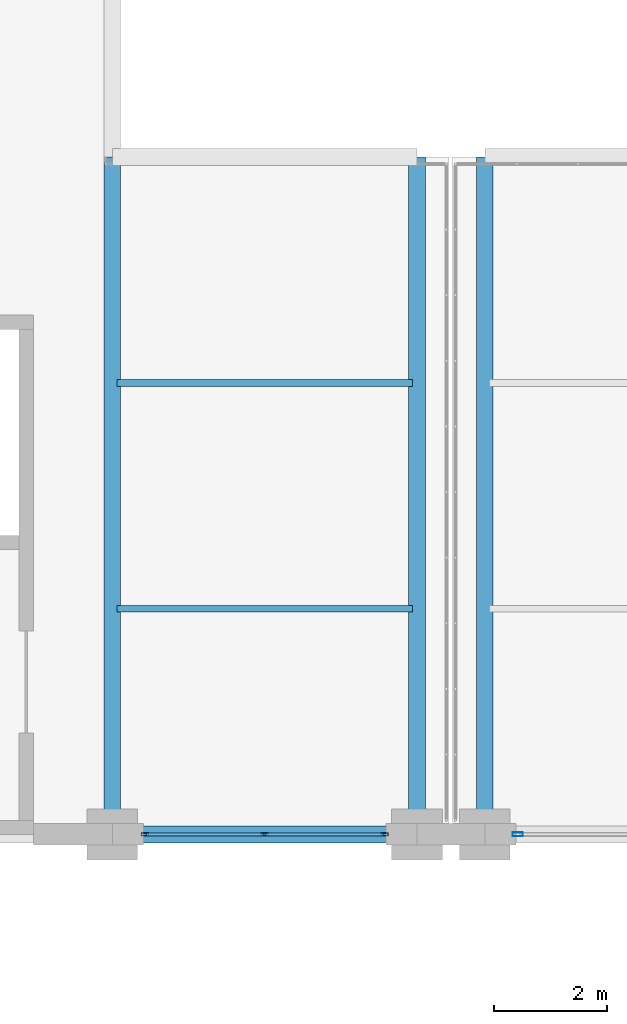
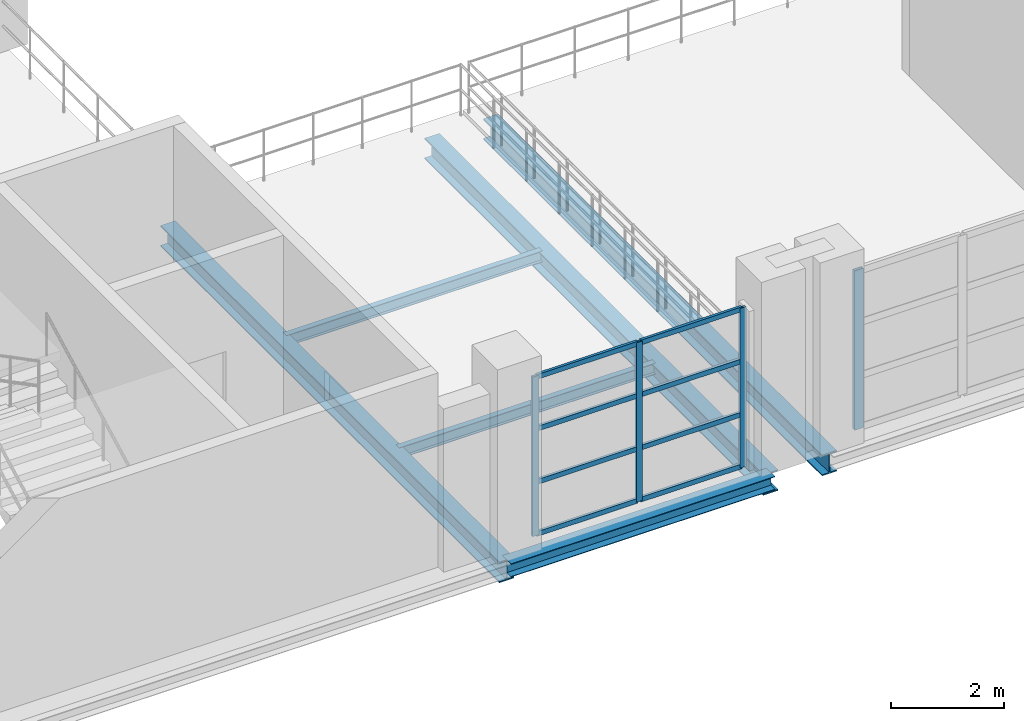
# One storey, part 60 of 158: 12 members, 6 beams, 2 elements without a shape of their own.
"""IFC4 building model written with IfcOpenShell, lengths in metres."""

from ifc_helpers import new_model, si_unit, direction, frame, origin, origin_2d, place, context, subcontext, project, spatial, hollow_rectangle, i_section, extrude, material, layer, layer_set, material_profile, profile_set, type_object, element, aggregate, save


model = new_model("IFC4")

# Units and contexts
model_context = context("Model", 3, precision=1e-05, world=origin(), true_north=direction((0.0, 1.0)))
body_context = subcontext(model_context, "Body", "Model", "MODEL_VIEW")
ifc_project = project(units=[si_unit("LENGTHUNIT", "METRE"), si_unit("AREAUNIT", "SQUARE_METRE"), si_unit("VOLUMEUNIT", "CUBIC_METRE"), si_unit("PLANEANGLEUNIT", "RADIAN"), si_unit("MASSUNIT", "GRAM", prefix="KILO")], contexts=[model_context])

# Site, building, storey
site_placement = place(None, origin())
site = spatial("IfcSite", under=ifc_project, at=site_placement, CompositionType="ELEMENT")
building_placement = place(site_placement, origin())
building = spatial("IfcBuilding", under=site, at=building_placement, Name="Zilviju Railside Exhibition Hall", CompositionType="ELEMENT")
storey_placement = place(building_placement, frame((0.0, 0.0, 4.199951171875)))
storey = spatial("IfcBuildingStorey", under=building, at=storey_placement, Name="L02", CompositionType="ELEMENT", Elevation=4.199951171875)

# Beams
ifc_material_1 = material(Name="Steel S355J2", Category="steel")
ifc_material_profile_1 = material_profile(ifc_material_1, i_section(OverallWidth=0.300048828125, OverallDepth=0.2900390625, WebThickness=0.008544921875, FlangeThickness=0.013916015625, at=origin_2d()), Name="HEA 300")
ifc_profile_set_1 = profile_set([ifc_material_profile_1], Name="Steel S355J2")
beam_type_1 = type_object("IfcBeamType", Name="BM-HEA300", PredefinedType="SPANDREL", material=ifc_profile_set_1)
beam_placement = place(storey_placement, frame((120.0, 84.0, -0.474853515625), z_axis=(1.0, 0.0, 0.0), x_axis=(0.0, 1.0, 0.0)))
element("IfcBeam", 1, at=beam_placement, inside=storey, type_object=beam_type_1, Name="Primary Girder L02 Y=84.0 (120.0..125.4)", PredefinedType="SPANDREL", context=body_context, shape_type="SweptSolid", body=[
    extrude(i_section(OverallWidth=0.300048828125, OverallDepth=0.2900390625, WebThickness=0.008544921875, FlangeThickness=0.013916015625, at=origin_2d()), origin(), (0.0, 0.0, 1.0), 5.39990234375),
])
ifc_material_profile_2 = material_profile(ifc_material_1, i_section(OverallWidth=0.300048828125, OverallDepth=0.449951171875, WebThickness=0.013916015625, FlangeThickness=0.02587890625, at=origin_2d()), Name="HEB 450")
ifc_profile_set_2 = profile_set([ifc_material_profile_2], Name="Steel S355J2")
beam_type_2 = type_object("IfcBeamType", Name="BM-HEB450", PredefinedType="BEAM", material=ifc_profile_set_2)
for number, where, z_axis, x_axis, name in (
    (2, (120.0, 84.0, -0.554931640625), (0.0, 1.0, 0.0), (-1.0, 0.0, 0.0), "Transverse Girder L02 X=120.0 (84.0..96.0)"),
    (3, (125.39990234375, 84.0, -0.554931640625), (0.0, 1.0, 0.0), (-1.0, 0.0, 0.0), "Transverse Girder L02 X=125.4 (84.0..96.0)"),
    (4, (126.60009765625, 84.0, -0.554931640625), (0.0, 1.0, 0.0), (-1.0, 0.0, 0.0), "Transverse Girder L02 X=126.6 (84.0..96.0)"),
):
    element("IfcBeam", number, at=place(storey_placement, frame(where, z_axis=z_axis, x_axis=x_axis)), inside=storey, type_object=beam_type_2, Name=name, PredefinedType="BEAM", context=body_context, shape_type="SweptSolid", body=[
        extrude(i_section(OverallWidth=0.300048828125, OverallDepth=0.449951171875, WebThickness=0.013916015625, FlangeThickness=0.02587890625, at=origin_2d()), origin(), (0.0, 0.0, 1.0), 12.0),
    ])
ifc_material_profile_3 = material_profile(ifc_material_1, i_section(OverallWidth=0.1201171875, OverallDepth=0.239990234375, WebThickness=0.006103515625, FlangeThickness=0.009765625, at=origin_2d()), Name="IPE 240")
ifc_profile_set_3 = profile_set([ifc_material_profile_3], Name="Steel S355J2")
beam_type_3 = type_object("IfcBeamType", Name="BM-IPE240", PredefinedType="JOIST", material=ifc_profile_set_3)
for number, where, z_axis, x_axis, name in (
    (5, (120.080078125, 88.0, -0.449951171875), (1.0, 0.0, 0.0), (0.0, 1.0, 0.0), "Composite Floor Joist L02 Y=88.00 (120.0..125.4)"),
    (6, (120.080078125, 92.0, -0.449951171875), (1.0, 0.0, 0.0), (0.0, 1.0, 0.0), "Composite Floor Joist L02 Y=92.00 (120.0..125.4)"),
):
    element("IfcBeam", number, at=place(storey_placement, frame(where, z_axis=z_axis, x_axis=x_axis)), inside=storey, type_object=beam_type_3, Name=name, PredefinedType="JOIST", context=body_context, shape_type="SweptSolid", body=[
        extrude(i_section(OverallWidth=0.1201171875, OverallDepth=0.239990234375, WebThickness=0.006103515625, FlangeThickness=0.009765625, at=origin_2d()), origin(), (0.0, 0.0, 1.0), 5.239990234375),
    ])

# Curtain wall, members
ifc_material_2 = material(Name="Thermally broken aluminium-steel triple-glazed curtain wall", Category="steel")
ifc_layer_1 = layer(ifc_material_2, 0.179931640625)
ifc_layer_set_1 = layer_set([ifc_layer_1], Name="Thermally broken aluminium-steel triple-glazed curtain wall")
curtain_wall_type_1 = type_object("IfcCurtainWallType", Name="CW-BAY-06", PredefinedType="USERDEFINED", material=ifc_layer_set_1)
curtain_wall_1_placement = place(storey_placement, origin())
curtain_wall_1 = element("IfcCurtainWall", 7, at=curtain_wall_1_placement, inside=storey, type_object=curtain_wall_type_1, Name="North Hall Garden Court Curtain Wall L02 (120..125)", ObjectType="GLAZED CURTAIN WALL", PredefinedType="USERDEFINED")
ifc_material_3 = material(Name="Thermally broken anodized aluminium mullion", Category="aluminium")
ifc_material_profile_4 = material_profile(ifc_material_3, hollow_rectangle(XDim=0.054931640625, YDim=0.1298828125, WallThickness=0.0048828125, at=origin_2d()), Name="MULLION 130x55x5")
ifc_profile_set_4 = profile_set([ifc_material_profile_4], Name="Thermally broken anodized aluminium mullion")
member_type_1 = type_object("IfcMemberType", Name="CWM-55x130", PredefinedType="MULLION", material=ifc_profile_set_4)
member_1_placement = place(storey_placement, frame((124.822509765625, 84.0, 0.0), z_axis=(0.0, 0.0, 1.0), x_axis=(0.0, -1.0, 0.0)))
member_1 = element("IfcMember", 8, at=member_1_placement, type_object=member_type_1, Name="CW-06 mullion 1", PredefinedType="MULLION", context=body_context, shape_type="SweptSolid", body=[
    extrude(hollow_rectangle(XDim=0.054931640625, YDim=0.1298828125, WallThickness=0.0048828125, at=origin_2d()), origin(), (0.0, 0.0, 1.0), 3.449951171875),
])
member_2_placement = place(storey_placement, frame((122.699951171875, 84.0, 0.0), z_axis=(0.0, 0.0, 1.0), x_axis=(0.0, -1.0, 0.0)))
member_2 = element("IfcMember", 9, at=member_2_placement, type_object=member_type_1, Name="CW-06 mullion 2", PredefinedType="MULLION", context=body_context, shape_type="SweptSolid", body=[
    extrude(hollow_rectangle(XDim=0.054931640625, YDim=0.1298828125, WallThickness=0.0048828125, at=origin_2d()), origin(), (0.0, 0.0, 1.0), 3.449951171875),
])
member_3_placement = place(storey_placement, frame((120.577392578125, 84.0, 0.0), z_axis=(0.0, 0.0, 1.0), x_axis=(0.0, -1.0, 0.0)))
member_3 = element("IfcMember", 10, at=member_3_placement, type_object=member_type_1, Name="CW-06 mullion 3", PredefinedType="MULLION", context=body_context, shape_type="SweptSolid", body=[
    extrude(hollow_rectangle(XDim=0.054931640625, YDim=0.1298828125, WallThickness=0.0048828125, at=origin_2d()), origin(), (0.0, 0.0, 1.0), 3.449951171875),
])

# Curtain wall, member
ifc_layer_2 = layer(ifc_material_2, 0.179931640625)
ifc_layer_set_2 = layer_set([ifc_layer_2], Name="Thermally broken aluminium-steel triple-glazed curtain wall")
curtain_wall_type_2 = type_object("IfcCurtainWallType", Name="CW-BAY-07", PredefinedType="USERDEFINED", material=ifc_layer_set_2)
curtain_wall_2_placement = place(storey_placement, origin())
curtain_wall_2 = element("IfcCurtainWall", 11, at=curtain_wall_2_placement, inside=storey, type_object=curtain_wall_type_2, Name="North Hall Garden Court Curtain Wall L02 (127..132)", ObjectType="GLAZED CURTAIN WALL", PredefinedType="USERDEFINED")
ifc_material_profile_5 = material_profile(ifc_material_3, hollow_rectangle(XDim=0.070068359375, YDim=0.179931640625, WallThickness=0.0048828125, at=origin_2d()), Name="MULLION 180x70x5")
ifc_profile_set_5 = profile_set([ifc_material_profile_5], Name="Thermally broken anodized aluminium mullion")
member_type_2 = type_object("IfcMemberType", Name="CWM-70x180", PredefinedType="MULLION", material=ifc_profile_set_5)
member_4_placement = place(storey_placement, frame((127.18505859375, 84.0, 0.0), z_axis=(0.0, 0.0, 1.0), x_axis=(0.0, -1.0, 0.0)))
member_4 = element("IfcMember", 12, at=member_4_placement, type_object=member_type_2, Name="CW-07 mullion 3", PredefinedType="MULLION", context=body_context, shape_type="SweptSolid", body=[
    extrude(hollow_rectangle(XDim=0.070068359375, YDim=0.179931640625, WallThickness=0.0048828125, at=origin_2d()), origin(), (0.0, 0.0, 1.0), 3.449951171875),
])
aggregate(curtain_wall_2, [member_4])

# Member
ifc_material_4 = material(Name="Thermally broken anodized aluminium transom", Category="aluminium")
ifc_material_profile_6 = material_profile(ifc_material_4, hollow_rectangle(XDim=0.054931640625, YDim=0.10498046875, WallThickness=0.0048828125, at=origin_2d()), Name="TRANSOM 105x55x5")
ifc_profile_set_6 = profile_set([ifc_material_profile_6], Name="Thermally broken anodized aluminium transom")
member_type_3 = type_object("IfcMemberType", Name="CWT-55x105", PredefinedType="USERDEFINED", material=ifc_profile_set_6)
member_5_placement = place(storey_placement, frame((124.794921875, 84.0, 0.027587890625), z_axis=(-1.0, 0.0, 0.0), x_axis=(0.0, -1.0, 0.0)))
member_5 = element("IfcMember", 13, at=member_5_placement, type_object=member_type_3, Name="CW-06 transom 1.1", ObjectType="TRANSOM", PredefinedType="USERDEFINED", context=body_context, shape_type="SweptSolid", body=[
    extrude(hollow_rectangle(XDim=0.054931640625, YDim=0.10498046875, WallThickness=0.0048828125, at=origin_2d()), origin(), (0.0, 0.0, 1.0), 2.0673828125),
])

member_6_placement = place(storey_placement, frame((124.794921875, 84.0, 1.150146484375), z_axis=(-1.0, 0.0, 0.0), x_axis=(0.0, -1.0, 0.0)))
member_6 = element("IfcMember", 14, at=member_6_placement, type_object=member_type_3, Name="CW-06 transom 1.2", ObjectType="TRANSOM", PredefinedType="USERDEFINED", context=body_context, shape_type="SweptSolid", body=[
    extrude(hollow_rectangle(XDim=0.054931640625, YDim=0.10498046875, WallThickness=0.0048828125, at=origin_2d()), origin(), (0.0, 0.0, 1.0), 2.0673828125),
])

member_7_placement = place(storey_placement, frame((124.794921875, 84.0, 2.300048828125), z_axis=(-1.0, 0.0, 0.0), x_axis=(0.0, -1.0, 0.0)))
member_7 = element("IfcMember", 15, at=member_7_placement, type_object=member_type_3, Name="CW-06 transom 1.3", ObjectType="TRANSOM", PredefinedType="USERDEFINED", context=body_context, shape_type="SweptSolid", body=[
    extrude(hollow_rectangle(XDim=0.054931640625, YDim=0.10498046875, WallThickness=0.0048828125, at=origin_2d()), origin(), (0.0, 0.0, 1.0), 2.0673828125),
])

member_8_placement = place(storey_placement, frame((124.794921875, 84.0, 3.422607421875), z_axis=(-1.0, 0.0, 0.0), x_axis=(0.0, -1.0, 0.0)))
member_8 = element("IfcMember", 16, at=member_8_placement, type_object=member_type_3, Name="CW-06 transom 1.4", ObjectType="TRANSOM", PredefinedType="USERDEFINED", context=body_context, shape_type="SweptSolid", body=[
    extrude(hollow_rectangle(XDim=0.054931640625, YDim=0.10498046875, WallThickness=0.0048828125, at=origin_2d()), origin(), (0.0, 0.0, 1.0), 2.0673828125),
])

member_9_placement = place(storey_placement, frame((122.672607421875, 84.0, 0.027587890625), z_axis=(-1.0, 0.0, 0.0), x_axis=(0.0, -1.0, 0.0)))
member_9 = element("IfcMember", 17, at=member_9_placement, type_object=member_type_3, Name="CW-06 transom 2.1", ObjectType="TRANSOM", PredefinedType="USERDEFINED", context=body_context, shape_type="SweptSolid", body=[
    extrude(hollow_rectangle(XDim=0.054931640625, YDim=0.10498046875, WallThickness=0.0048828125, at=origin_2d()), origin(), (0.0, 0.0, 1.0), 2.067626953125),
])

member_10_placement = place(storey_placement, frame((122.672607421875, 84.0, 1.150146484375), z_axis=(-1.0, 0.0, 0.0), x_axis=(0.0, -1.0, 0.0)))
member_10 = element("IfcMember", 18, at=member_10_placement, type_object=member_type_3, Name="CW-06 transom 2.2", ObjectType="TRANSOM", PredefinedType="USERDEFINED", context=body_context, shape_type="SweptSolid", body=[
    extrude(hollow_rectangle(XDim=0.054931640625, YDim=0.10498046875, WallThickness=0.0048828125, at=origin_2d()), origin(), (0.0, 0.0, 1.0), 2.067626953125),
])

member_11_placement = place(storey_placement, frame((122.672607421875, 84.0, 2.300048828125), z_axis=(-1.0, 0.0, 0.0), x_axis=(0.0, -1.0, 0.0)))
member_11 = element("IfcMember", 19, at=member_11_placement, type_object=member_type_3, Name="CW-06 transom 2.3", ObjectType="TRANSOM", PredefinedType="USERDEFINED", context=body_context, shape_type="SweptSolid", body=[
    extrude(hollow_rectangle(XDim=0.054931640625, YDim=0.10498046875, WallThickness=0.0048828125, at=origin_2d()), origin(), (0.0, 0.0, 1.0), 2.067626953125),
])

member_12_placement = place(storey_placement, frame((122.672607421875, 84.0, 3.422607421875), z_axis=(-1.0, 0.0, 0.0), x_axis=(0.0, -1.0, 0.0)))
member_12 = element("IfcMember", 20, at=member_12_placement, type_object=member_type_3, Name="CW-06 transom 2.4", ObjectType="TRANSOM", PredefinedType="USERDEFINED", context=body_context, shape_type="SweptSolid", body=[
    extrude(hollow_rectangle(XDim=0.054931640625, YDim=0.10498046875, WallThickness=0.0048828125, at=origin_2d()), origin(), (0.0, 0.0, 1.0), 2.067626953125),
])

aggregate(curtain_wall_1, [member_1, member_2, member_3, member_5, member_6, member_7, member_8, member_9, member_10, member_11, member_12])

save(model, "model.ifc")
